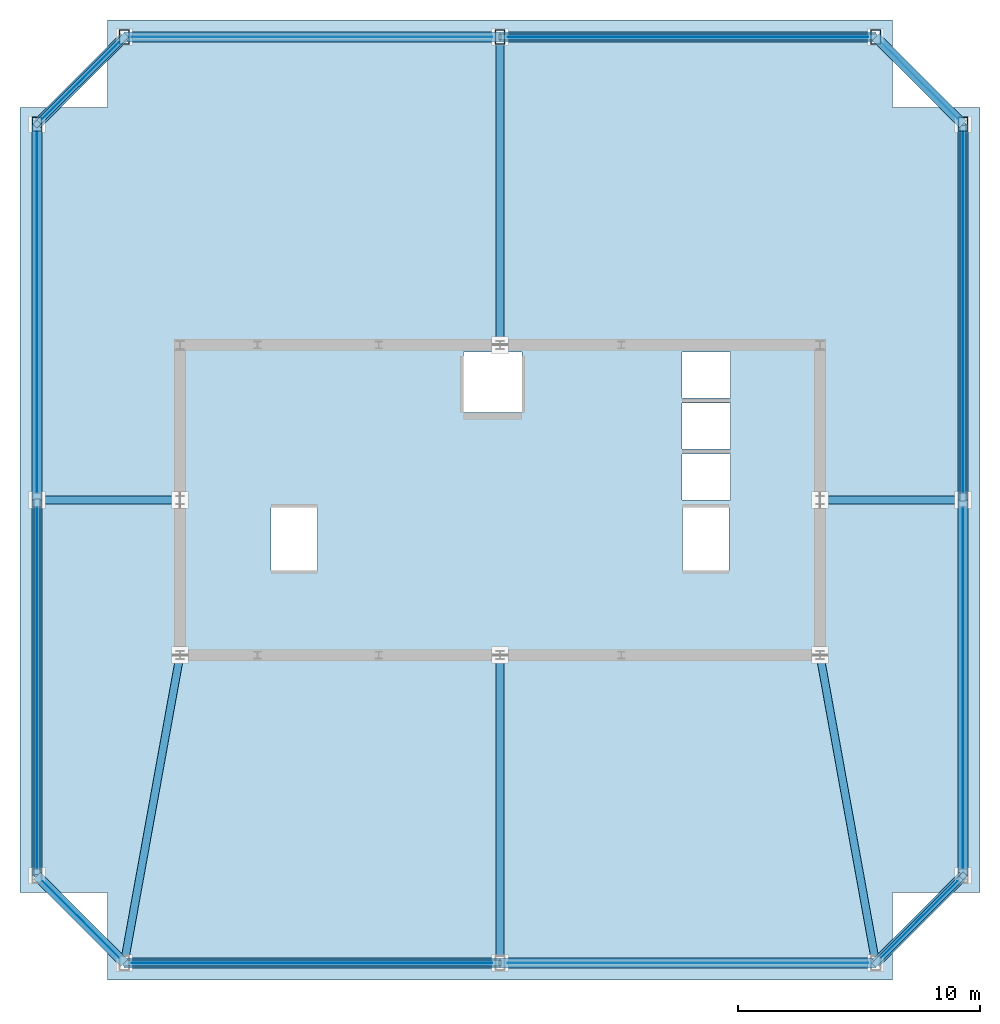
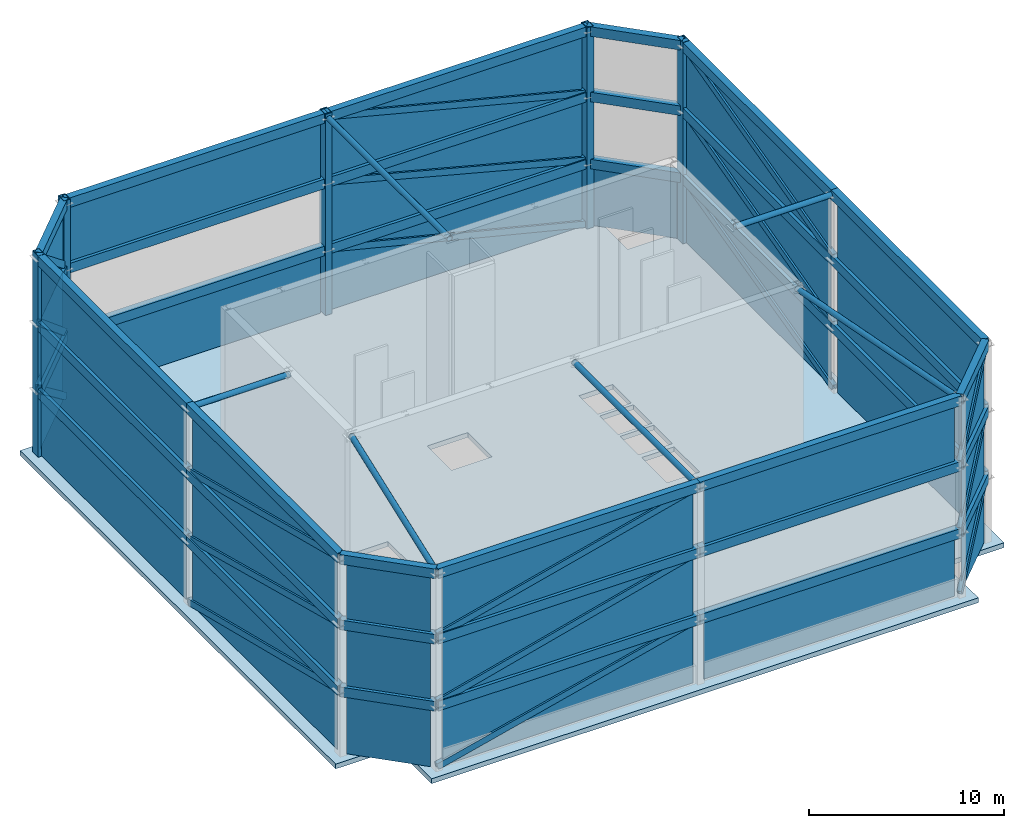
# One storey, part 3 of 6: 36 beams, 32 plates, 24 members, 5 columns, 1 slab.
"""IFC4 building model written with IfcOpenShell, lengths in metres."""

from ifc_helpers import new_model, si_unit, direction, frame, origin, origin_2d, place, context, subcontext, project, spatial, polyline, rectangle, hollow_rectangle, hollow_circle, outline, extrude, source, transform, mapped, material, layer, layer_set, material_profile, profile_set, type_object, element, save


model = new_model("IFC4")

# Units and contexts
model_context = context("Model", 3, precision=1e-05, world=origin(), true_north=direction((0.0, 1.0)))
body_context = subcontext(model_context, "Body", "Model", "MODEL_VIEW")
ifc_project = project(units=[si_unit("LENGTHUNIT", "METRE"), si_unit("AREAUNIT", "SQUARE_METRE"), si_unit("VOLUMEUNIT", "CUBIC_METRE"), si_unit("PLANEANGLEUNIT", "RADIAN"), si_unit("MASSUNIT", "GRAM", prefix="KILO"), si_unit("THERMODYNAMICTEMPERATUREUNIT", "KELVIN"), si_unit("POWERUNIT", "WATT")], contexts=[model_context])

# Site, building, storey
site_placement = place(None, origin())
site = spatial("IfcSite", under=ifc_project, at=site_placement, CompositionType="ELEMENT")
building_placement = place(site_placement, origin())
building = spatial("IfcBuilding", under=site, at=building_placement, Name="Yuzanri Waterfront Tower", CompositionType="ELEMENT")
storey_placement = place(building_placement, frame((0.0, 0.0, 351.199951171875)))
storey = spatial("IfcBuildingStorey", under=building, at=storey_placement, Name="L94", CompositionType="ELEMENT", Elevation=351.199951171875)

# Columns
ifc_material_1 = material(Name="Steel Q355B", Category="steel")
ifc_material_profile_1 = material_profile(ifc_material_1, hollow_rectangle(XDim=0.39990234375, YDim=0.60009765625, WallThickness=0.02392578125, at=origin_2d()), Name="RHS 600x400x24")
ifc_profile_set_1 = profile_set([ifc_material_profile_1], Name="Steel Q355B")
column_type = type_object("IfcColumnType", Name="Crown Frame Post Q355B RHS 600x400x24", PredefinedType="COLUMN", material=ifc_profile_set_1)
shared_shape_1 = source(origin(), body_context, "Body", "SweptSolid", [
    extrude(hollow_rectangle(XDim=0.39990234375, YDim=0.60009765625, WallThickness=0.02392578125, at=origin_2d()), origin(), (0.0, 0.0, 1.0), 12.60009765625),
])
for number, where, z_axis, x_axis, name in (
    (1, (56.10009765625, 41.300048828125, 0.0), (0.0, 0.0, 1.0), (1.0, 0.0, 0.0), "L94 CROWN FRAME Perimeter Post CE3"),
    (2, (52.5, 44.89990234375, 0.0), (0.0, 0.0, 1.0), (1.0, 0.0, 0.0), "L94 CROWN FRAME Perimeter Post CN3"),
    (3, (37.0, 44.89990234375, 0.0), (0.0, 0.0, 1.0), (1.0, 0.0, 0.0), "L94 CROWN FRAME Perimeter Post CN2"),
    (4, (21.5, 44.89990234375, 0.0), (0.0, 0.0, 1.0), (1.0, 0.0, 0.0), "L94 CROWN FRAME Perimeter Post CN1"),
    (5, (17.89990234375, 41.300048828125, 0.0), (0.0, 0.0, 1.0), (1.0, 0.0, 0.0), "L94 CROWN FRAME Perimeter Post CW3"),
):
    element("IfcColumn", number, at=place(storey_placement, frame(where, z_axis=z_axis, x_axis=x_axis)), inside=storey, type_object=column_type, Name=name, PredefinedType="COLUMN", context=body_context, shape_type="MappedRepresentation", body=[
        mapped(shared_shape_1, transform((0.0, 0.0, 0.0), scale=1.0)),
    ])

# Beams
ifc_material_2 = material(Name="Steel Q355B", Category="steel")
ifc_material_profile_2 = material_profile(ifc_material_2, hollow_rectangle(XDim=0.39990234375, YDim=0.60009765625, WallThickness=0.02392578125, at=origin_2d()), Name="RHS 600x400x24")
ifc_profile_set_2 = profile_set([ifc_material_profile_2], Name="Steel Q355B")
beam_type = type_object("IfcBeamType", Name="Crown Frame Ring Beam Q355B RHS 600x400x24", PredefinedType="BEAM", material=ifc_profile_set_2)
shared_shape_2 = source(origin(), body_context, "Body", "SweptSolid", [
    extrude(hollow_rectangle(XDim=0.39990234375, YDim=0.60009765625, WallThickness=0.02392578125, at=origin_2d()), origin(), (0.0, 0.0, 1.0), 15.5),
])
for number, where, z_axis, x_axis, name in (
    (6, (21.5, 6.699951171875, 4.0), (1.0, 0.0, 0.0), (0.0, 1.0, 0.0), "L94 CROWN FRAME Ring Chord Tier 1 CS1-CS2"),
    (7, (37.0, 6.699951171875, 4.0), (1.0, 0.0, 0.0), (0.0, 1.0, 0.0), "L94 CROWN FRAME Ring Chord Tier 1 CS2-CS3"),
    (8, (56.10009765625, 10.300048828125, 4.0), (0.0, 1.0, 0.0), (-1.0, 0.0, 0.0), "L94 CROWN FRAME Ring Chord Tier 1 CE1-CE2"),
    (9, (56.10009765625, 25.800048828125, 4.0), (0.0, 1.0, 0.0), (-1.0, 0.0, 0.0), "L94 CROWN FRAME Ring Chord Tier 1 CE2-CE3"),
    (10, (52.5, 44.89990234375, 4.0), (-1.0, 0.0, 0.0), (0.0, -1.0, 0.0), "L94 CROWN FRAME Ring Chord Tier 1 CN3-CN2"),
    (11, (37.0, 44.89990234375, 4.0), (-1.0, 0.0, 0.0), (0.0, -1.0, 0.0), "L94 CROWN FRAME Ring Chord Tier 1 CN2-CN1"),
    (12, (17.89990234375, 41.300048828125, 4.0), (0.0, -1.0, 0.0), (1.0, 0.0, 0.0), "L94 CROWN FRAME Ring Chord Tier 1 CW3-CW2"),
    (13, (17.89990234375, 25.800048828125, 4.0), (0.0, -1.0, 0.0), (1.0, 0.0, 0.0), "L94 CROWN FRAME Ring Chord Tier 1 CW2-CW1"),
    (14, (21.5, 6.699951171875, 8.199951171875), (1.0, 0.0, 0.0), (0.0, 1.0, 0.0), "L94 CROWN FRAME Ring Chord Tier 2 CS1-CS2"),
    (15, (37.0, 6.699951171875, 8.199951171875), (1.0, 0.0, 0.0), (0.0, 1.0, 0.0), "L94 CROWN FRAME Ring Chord Tier 2 CS2-CS3"),
    (16, (56.10009765625, 10.300048828125, 8.199951171875), (0.0, 1.0, 0.0), (-1.0, 0.0, 0.0), "L94 CROWN FRAME Ring Chord Tier 2 CE1-CE2"),
    (17, (56.10009765625, 25.800048828125, 8.199951171875), (0.0, 1.0, 0.0), (-1.0, 0.0, 0.0), "L94 CROWN FRAME Ring Chord Tier 2 CE2-CE3"),
    (18, (52.5, 44.89990234375, 8.199951171875), (-1.0, 0.0, 0.0), (0.0, -1.0, 0.0), "L94 CROWN FRAME Ring Chord Tier 2 CN3-CN2"),
    (19, (37.0, 44.89990234375, 8.199951171875), (-1.0, 0.0, 0.0), (0.0, -1.0, 0.0), "L94 CROWN FRAME Ring Chord Tier 2 CN2-CN1"),
    (20, (17.89990234375, 41.300048828125, 8.199951171875), (0.0, -1.0, 0.0), (1.0, 0.0, 0.0), "L94 CROWN FRAME Ring Chord Tier 2 CW3-CW2"),
    (21, (17.89990234375, 25.800048828125, 8.199951171875), (0.0, -1.0, 0.0), (1.0, 0.0, 0.0), "L94 CROWN FRAME Ring Chord Tier 2 CW2-CW1"),
    (22, (21.5, 6.699951171875, 12.300048828125), (1.0, 0.0, 0.0), (0.0, 1.0, 0.0), "L94 CROWN FRAME Ring Chord Tier 3 CS1-CS2"),
    (23, (37.0, 6.699951171875, 12.300048828125), (1.0, 0.0, 0.0), (0.0, 1.0, 0.0), "L94 CROWN FRAME Ring Chord Tier 3 CS2-CS3"),
    (24, (56.10009765625, 10.300048828125, 12.300048828125), (0.0, 1.0, 0.0), (-1.0, 0.0, 0.0), "L94 CROWN FRAME Ring Chord Tier 3 CE1-CE2"),
    (25, (56.10009765625, 25.800048828125, 12.300048828125), (0.0, 1.0, 0.0), (-1.0, 0.0, 0.0), "L94 CROWN FRAME Ring Chord Tier 3 CE2-CE3"),
    (26, (52.5, 44.89990234375, 12.300048828125), (-1.0, 0.0, 0.0), (0.0, -1.0, 0.0), "L94 CROWN FRAME Ring Chord Tier 3 CN3-CN2"),
    (27, (37.0, 44.89990234375, 12.300048828125), (-1.0, 0.0, 0.0), (0.0, -1.0, 0.0), "L94 CROWN FRAME Ring Chord Tier 3 CN2-CN1"),
    (28, (17.89990234375, 41.300048828125, 12.300048828125), (0.0, -1.0, 0.0), (1.0, 0.0, 0.0), "L94 CROWN FRAME Ring Chord Tier 3 CW3-CW2"),
    (29, (17.89990234375, 25.800048828125, 12.300048828125), (0.0, -1.0, 0.0), (1.0, 0.0, 0.0), "L94 CROWN FRAME Ring Chord Tier 3 CW2-CW1"),
):
    element("IfcBeam", number, at=place(storey_placement, frame(where, z_axis=z_axis, x_axis=x_axis)), inside=storey, type_object=beam_type, Name=name, PredefinedType="BEAM", context=body_context, shape_type="MappedRepresentation", body=[
        mapped(shared_shape_2, transform((0.0, 0.0, 0.0), scale=1.0)),
    ])

# Members
ifc_material_3 = material(Name="Steel Q355B", Category="steel")
ifc_material_profile_3 = material_profile(ifc_material_3, hollow_rectangle(XDim=0.25, YDim=0.39990234375, WallThickness=0.01611328125, at=origin_2d()), Name="RHS 400x250x16")
ifc_profile_set_3 = profile_set([ifc_material_profile_3], Name="Steel Q355B")
member_type_1 = type_object("IfcMemberType", Name="Crown Frame Diagonal Q355B RHS 400x250x16", PredefinedType="USERDEFINED", material=ifc_profile_set_3)
shared_shape_3 = source(origin(), body_context, "Body", "SweptSolid", [
    extrude(hollow_rectangle(XDim=0.25, YDim=0.39990234375, WallThickness=0.01611328125, at=origin_2d()), origin(), (0.0, 0.0, 1.0), 15.970947265625),
])
for number, where, z_axis, x_axis, name in (
    (30, (21.5, 6.699951171875, 0.150146484375), (0.970511842135, 0.0, 0.241053446929), (0.0, 1.0, 0.0), "L94 CROWN FRAME Diagonal Tier 1 CS1"),
    (31, (56.10009765625, 25.800048828125, 0.150146484375), (0.0, 0.970511842135, 0.241053446929), (-1.0, 0.0, 0.0), "L94 CROWN FRAME Diagonal Tier 1 CE2"),
    (32, (52.5, 44.89990234375, 0.150146484375), (-0.970511842135, 0.0, 0.241053446929), (0.0, -1.0, 0.0), "L94 CROWN FRAME Diagonal Tier 1 CN3"),
    (33, (17.89990234375, 25.800048828125, 0.150146484375), (0.0, -0.970511842135, 0.241053446929), (1.0, 0.0, 0.0), "L94 CROWN FRAME Diagonal Tier 1 CW2"),
):
    element("IfcMember", number, at=place(storey_placement, frame(where, z_axis=z_axis, x_axis=x_axis)), inside=storey, type_object=member_type_1, Name=name, ObjectType="CROWN FRAME", PredefinedType="USERDEFINED", context=body_context, shape_type="MappedRepresentation", body=[
        mapped(shared_shape_3, transform((0.0, 0.0, 0.0), scale=1.0)),
    ])

# Beams
shared_shape_4 = source(origin(), body_context, "Body", "SweptSolid", [
    extrude(hollow_rectangle(XDim=0.39990234375, YDim=0.60009765625, WallThickness=0.02392578125, at=origin_2d()), origin(), (0.0, 0.0, 1.0), 5.09130859375),
])
for number, where, z_axis, x_axis, name in (
    (34, (52.5, 6.699951171875, 4.0), (0.707106781187, 0.707106781187, 0.0), (-0.707106781187, 0.707106781187, 0.0), "L94 CROWN FRAME Ring Chord Tier 1 CS3-CE1"),
    (35, (17.89990234375, 10.300048828125, 4.0), (0.707106781187, -0.707106781187, 0.0), (0.707106781187, 0.707106781187, 0.0), "L94 CROWN FRAME Ring Chord Tier 1 CW1-CS1"),
    (36, (52.5, 6.699951171875, 8.199951171875), (0.707106781187, 0.707106781187, 0.0), (-0.707106781187, 0.707106781187, 0.0), "L94 CROWN FRAME Ring Chord Tier 2 CS3-CE1"),
    (37, (17.89990234375, 10.300048828125, 8.199951171875), (0.707106781187, -0.707106781187, 0.0), (0.707106781187, 0.707106781187, 0.0), "L94 CROWN FRAME Ring Chord Tier 2 CW1-CS1"),
    (38, (52.5, 6.699951171875, 12.300048828125), (0.707106781187, 0.707106781187, 0.0), (-0.707106781187, 0.707106781187, 0.0), "L94 CROWN FRAME Ring Chord Tier 3 CS3-CE1"),
    (39, (17.89990234375, 10.300048828125, 12.300048828125), (0.707106781187, -0.707106781187, 0.0), (0.707106781187, 0.707106781187, 0.0), "L94 CROWN FRAME Ring Chord Tier 3 CW1-CS1"),
):
    element("IfcBeam", number, at=place(storey_placement, frame(where, z_axis=z_axis, x_axis=x_axis)), inside=storey, type_object=beam_type, Name=name, PredefinedType="BEAM", context=body_context, shape_type="MappedRepresentation", body=[
        mapped(shared_shape_4, transform((0.0, 0.0, 0.0), scale=1.0)),
    ])

# Member
shared_shape_5 = source(origin(), body_context, "Body", "SweptSolid", [
    extrude(hollow_rectangle(XDim=0.25, YDim=0.39990234375, WallThickness=0.01611328125, at=origin_2d()), origin(), (0.0, 0.0, 1.0), 6.383056640625),
])
member_1_placement = place(storey_placement, frame((52.5, 6.699951171875, 0.150146484375), z_axis=(0.564012800911, 0.564012800911, 0.603141045542), x_axis=(-0.707106781187, 0.707106781187, 0.0)))
element("IfcMember", 40, at=member_1_placement, inside=storey, type_object=member_type_1, Name="L94 CROWN FRAME Diagonal Tier 1 CS3", ObjectType="CROWN FRAME", PredefinedType="USERDEFINED", context=body_context, shape_type="MappedRepresentation", body=[
    mapped(shared_shape_5, transform((0.0, 0.0, 0.0), scale=1.0)),
])

# Beams
shared_shape_6 = source(origin(), body_context, "Body", "SweptSolid", [
    extrude(hollow_rectangle(XDim=0.39990234375, YDim=0.60009765625, WallThickness=0.02392578125, at=origin_2d()), origin(), (0.0, 0.0, 1.0), 5.091064453125),
])
for number, where, z_axis, x_axis, name in (
    (41, (56.10009765625, 41.300048828125, 4.0), (-0.707130757816, 0.707082803744, 0.0), (-0.707082803744, -0.707130757816, 0.0), "L94 CROWN FRAME Ring Chord Tier 1 CE3-CN3"),
    (42, (21.5, 44.89990234375, 4.0), (-0.707130757816, -0.707082803744, 0.0), (0.707082803744, -0.707130757816, 0.0), "L94 CROWN FRAME Ring Chord Tier 1 CN1-CW3"),
    (43, (56.10009765625, 41.300048828125, 8.199951171875), (-0.707130757816, 0.707082803744, 0.0), (-0.707082803744, -0.707130757816, 0.0), "L94 CROWN FRAME Ring Chord Tier 2 CE3-CN3"),
    (44, (21.5, 44.89990234375, 8.199951171875), (-0.707130757816, -0.707082803744, 0.0), (0.707082803744, -0.707130757816, 0.0), "L94 CROWN FRAME Ring Chord Tier 2 CN1-CW3"),
    (45, (56.10009765625, 41.300048828125, 12.300048828125), (-0.707130757816, 0.707082803744, 0.0), (-0.707082803744, -0.707130757816, 0.0), "L94 CROWN FRAME Ring Chord Tier 3 CE3-CN3"),
    (46, (21.5, 44.89990234375, 12.300048828125), (-0.707130757816, -0.707082803744, 0.0), (0.707082803744, -0.707130757816, 0.0), "L94 CROWN FRAME Ring Chord Tier 3 CN1-CW3"),
):
    element("IfcBeam", number, at=place(storey_placement, frame(where, z_axis=z_axis, x_axis=x_axis)), inside=storey, type_object=beam_type, Name=name, PredefinedType="BEAM", context=body_context, shape_type="MappedRepresentation", body=[
        mapped(shared_shape_6, transform((0.0, 0.0, 0.0), scale=1.0)),
    ])

# Members
shared_shape_7 = source(origin(), body_context, "Body", "SweptSolid", [
    extrude(hollow_rectangle(XDim=0.25, YDim=0.39990234375, WallThickness=0.01611328125, at=origin_2d()), origin(), (0.0, 0.0, 1.0), 6.3828125),
])
member_2_placement = place(storey_placement, frame((21.5, 44.89990234375, 0.150146484375), z_axis=(-0.564024968148, -0.563986718795, 0.603154056878), x_axis=(0.707082803744, -0.707130757816, 0.0)))
element("IfcMember", 47, at=member_2_placement, inside=storey, type_object=member_type_1, Name="L94 CROWN FRAME Diagonal Tier 1 CN1", ObjectType="CROWN FRAME", PredefinedType="USERDEFINED", context=body_context, shape_type="MappedRepresentation", body=[
    mapped(shared_shape_7, transform((0.0, 0.0, 0.0), scale=1.0)),
])
shared_shape_8 = source(origin(), body_context, "Body", "SweptSolid", [
    extrude(hollow_rectangle(XDim=0.25, YDim=0.39990234375, WallThickness=0.01611328125, at=origin_2d()), origin(), (0.0, 0.0, 1.0), 16.020263671875),
])
for number, where, z_axis, x_axis, name in (
    (48, (21.5, 6.699951171875, 4.150146484375), (0.96752074832, 0.0, 0.25279161689), (0.0, 1.0, 0.0), "L94 CROWN FRAME Diagonal Tier 2 CS1"),
    (49, (56.10009765625, 25.800048828125, 4.150146484375), (0.0, 0.96752074832, 0.25279161689), (-1.0, 0.0, 0.0), "L94 CROWN FRAME Diagonal Tier 2 CE2"),
    (50, (52.5, 44.89990234375, 4.150146484375), (-0.96752074832, 0.0, 0.25279161689), (0.0, -1.0, 0.0), "L94 CROWN FRAME Diagonal Tier 2 CN3"),
    (51, (17.89990234375, 25.800048828125, 4.150146484375), (0.0, -0.96752074832, 0.25279161689), (1.0, 0.0, 0.0), "L94 CROWN FRAME Diagonal Tier 2 CW2"),
):
    element("IfcMember", number, at=place(storey_placement, frame(where, z_axis=z_axis, x_axis=x_axis)), inside=storey, type_object=member_type_1, Name=name, ObjectType="CROWN FRAME", PredefinedType="USERDEFINED", context=body_context, shape_type="MappedRepresentation", body=[
        mapped(shared_shape_8, transform((0.0, 0.0, 0.0), scale=1.0)),
    ])
shared_shape_9 = source(origin(), body_context, "Body", "SweptSolid", [
    extrude(hollow_rectangle(XDim=0.25, YDim=0.39990234375, WallThickness=0.01611328125, at=origin_2d()), origin(), (0.0, 0.0, 1.0), 6.505615234375),
])
member_3_placement = place(storey_placement, frame((52.5, 6.699951171875, 4.150146484375), z_axis=(0.553387731098, 0.553387731098, 0.622514287499), x_axis=(-0.707106781187, 0.707106781187, 0.0)))
element("IfcMember", 52, at=member_3_placement, inside=storey, type_object=member_type_1, Name="L94 CROWN FRAME Diagonal Tier 2 CS3", ObjectType="CROWN FRAME", PredefinedType="USERDEFINED", context=body_context, shape_type="MappedRepresentation", body=[
    mapped(shared_shape_9, transform((0.0, 0.0, 0.0), scale=1.0)),
])
shared_shape_10 = source(origin(), body_context, "Body", "SweptSolid", [
    extrude(hollow_rectangle(XDim=0.25, YDim=0.39990234375, WallThickness=0.01611328125, at=origin_2d()), origin(), (0.0, 0.0, 1.0), 6.50537109375),
])
member_4_placement = place(storey_placement, frame((21.5, 44.89990234375, 4.150146484375), z_axis=(-0.553399223562, -0.553361694793, 0.622527215547), x_axis=(0.707082803744, -0.707130757816, 0.0)))
element("IfcMember", 53, at=member_4_placement, inside=storey, type_object=member_type_1, Name="L94 CROWN FRAME Diagonal Tier 2 CN1", ObjectType="CROWN FRAME", PredefinedType="USERDEFINED", context=body_context, shape_type="MappedRepresentation", body=[
    mapped(shared_shape_10, transform((0.0, 0.0, 0.0), scale=1.0)),
])
shared_shape_11 = source(origin(), body_context, "Body", "SweptSolid", [
    extrude(hollow_rectangle(XDim=0.25, YDim=0.39990234375, WallThickness=0.01611328125, at=origin_2d()), origin(), (0.0, 0.0, 1.0), 15.995361328125),
])
for number, where, z_axis, x_axis, name in (
    (54, (21.5, 6.699951171875, 8.35009765625), (0.969029934396, 0.0, 0.246943285481), (0.0, 1.0, 0.0), "L94 CROWN FRAME Diagonal Tier 3 CS1"),
    (55, (56.10009765625, 25.800048828125, 8.35009765625), (0.0, 0.969029934396, 0.246943285481), (-1.0, 0.0, 0.0), "L94 CROWN FRAME Diagonal Tier 3 CE2"),
    (56, (52.5, 44.89990234375, 8.35009765625), (-0.969029934396, 0.0, 0.246943285481), (0.0, -1.0, 0.0), "L94 CROWN FRAME Diagonal Tier 3 CN3"),
    (57, (17.89990234375, 25.800048828125, 8.35009765625), (0.0, -0.969029934396, 0.246943285481), (1.0, 0.0, 0.0), "L94 CROWN FRAME Diagonal Tier 3 CW2"),
):
    element("IfcMember", number, at=place(storey_placement, frame(where, z_axis=z_axis, x_axis=x_axis)), inside=storey, type_object=member_type_1, Name=name, ObjectType="CROWN FRAME", PredefinedType="USERDEFINED", context=body_context, shape_type="MappedRepresentation", body=[
        mapped(shared_shape_11, transform((0.0, 0.0, 0.0), scale=1.0)),
    ])
shared_shape_12 = source(origin(), body_context, "Body", "SweptSolid", [
    extrude(hollow_rectangle(XDim=0.25, YDim=0.39990234375, WallThickness=0.01611328125, at=origin_2d()), origin(), (0.0, 0.0, 1.0), 6.44384765625),
])
for number, where, z_axis, x_axis, name in (
    (58, (52.5, 6.699951171875, 8.35009765625), (0.558685239973, 0.558685239973, 0.61297765479), (-0.707106781187, 0.707106781187, 0.0), "L94 CROWN FRAME Diagonal Tier 3 CS3"),
    (59, (21.5, 44.89990234375, 8.35009765625), (-0.558697065662, -0.55865917762, 0.612990629685), (0.707082803744, -0.707130757816, 0.0), "L94 CROWN FRAME Diagonal Tier 3 CN1"),
):
    element("IfcMember", number, at=place(storey_placement, frame(where, z_axis=z_axis, x_axis=x_axis)), inside=storey, type_object=member_type_1, Name=name, ObjectType="CROWN FRAME", PredefinedType="USERDEFINED", context=body_context, shape_type="MappedRepresentation", body=[
        mapped(shared_shape_12, transform((0.0, 0.0, 0.0), scale=1.0)),
    ])
ifc_material_4 = material(Name="Steel Q355B", Category="steel")
ifc_material_profile_4 = material_profile(ifc_material_4, hollow_circle(Radius=0.16259765625, WallThickness=0.011962890625, at=origin_2d()), Name="CHS 325x12")
ifc_profile_set_4 = profile_set([ifc_material_profile_4], Name="Steel Q355B")
member_type_2 = type_object("IfcMemberType", Name="Crown Radial Strut Q355B CHS 325x12", PredefinedType="STRUT", material=ifc_profile_set_4)
shared_shape_13 = source(origin(), body_context, "Body", "SweptSolid", [
    extrude(hollow_circle(Radius=0.16259765625, WallThickness=0.011962890625, at=origin_2d()), origin(), (0.0, 0.0, 1.0), 12.699951171875),
])
for number, where, z_axis, x_axis, name in (
    (60, (37.0, 6.699951171875, 12.300048828125), (0.0, 1.0, 0.0), (-1.0, 0.0, 0.0), "L94 CROWN FRAME Radial Strut S"),
    (61, (37.0, 44.89990234375, 12.300048828125), (0.0, -1.0, 0.0), (1.0, 0.0, 0.0), "L94 CROWN FRAME Radial Strut N"),
):
    element("IfcMember", number, at=place(storey_placement, frame(where, z_axis=z_axis, x_axis=x_axis)), inside=storey, type_object=member_type_2, Name=name, PredefinedType="STRUT", context=body_context, shape_type="MappedRepresentation", body=[
        mapped(shared_shape_13, transform((0.0, 0.0, 0.0), scale=1.0)),
    ])
shared_shape_14 = source(origin(), body_context, "Body", "SweptSolid", [
    extrude(hollow_circle(Radius=0.16259765625, WallThickness=0.011962890625, at=origin_2d()), origin(), (0.0, 0.0, 1.0), 5.900146484375),
])
for number, where, z_axis, x_axis, name in (
    (62, (17.89990234375, 25.800048828125, 12.300048828125), (1.0, 0.0, 0.0), (0.0, 1.0, 0.0), "L94 CROWN FRAME Radial Strut W"),
    (63, (56.10009765625, 25.800048828125, 12.300048828125), (-1.0, 0.0, 0.0), (0.0, -1.0, 0.0), "L94 CROWN FRAME Radial Strut E"),
):
    element("IfcMember", number, at=place(storey_placement, frame(where, z_axis=z_axis, x_axis=x_axis)), inside=storey, type_object=member_type_2, Name=name, PredefinedType="STRUT", context=body_context, shape_type="MappedRepresentation", body=[
        mapped(shared_shape_14, transform((0.0, 0.0, 0.0), scale=1.0)),
    ])
shared_shape_15 = source(origin(), body_context, "Body", "SweptSolid", [
    extrude(hollow_circle(Radius=0.16259765625, WallThickness=0.011962890625, at=origin_2d()), origin(), (0.0, 0.0, 1.0), 12.906494140625),
])
for number, where, z_axis, x_axis, name in (
    (64, (21.5, 6.699951171875, 12.300048828125), (0.178207899331, 0.983992858011, 0.0), (-0.983992858011, 0.178207899331, 0.0), "L94 CROWN FRAME Radial Strut SW"),
    (65, (52.5, 6.699951171875, 12.300048828125), (-0.178207899331, 0.983992858011, 0.0), (-0.983992858011, -0.178207899331, 0.0), "L94 CROWN FRAME Radial Strut SE"),
):
    element("IfcMember", number, at=place(storey_placement, frame(where, z_axis=z_axis, x_axis=x_axis)), inside=storey, type_object=member_type_2, Name=name, PredefinedType="STRUT", context=body_context, shape_type="MappedRepresentation", body=[
        mapped(shared_shape_15, transform((0.0, 0.0, 0.0), scale=1.0)),
    ])

# Slab
ifc_material_5 = material(Name="Concrete C45", Category="concrete")
ifc_layer_1 = layer(ifc_material_5, 0.300048828125)
ifc_layer_set_1 = layer_set([ifc_layer_1], Name="Concrete C45")
slab_type = type_object("IfcSlabType", Name="Concrete C45 Crown Mechanical Enclosure Roof Deck Slab 300", PredefinedType="ROOF", material=ifc_layer_set_1)
slab_placement = place(storey_placement, frame((0.0, 0.0, -0.300048828125)))
element("IfcSlab", 66, at=slab_placement, inside=storey, type_object=slab_type, Name="L94 Crown Enclosure Roof Deck Slab", PredefinedType="ROOF", context=body_context, shape_type="SweptSolid", body=[
    extrude(outline(polyline([(20.800048828125, 6.0), (53.199951171875, 6.0), (53.199951171875, 9.60009765625), (56.800048828125, 9.60009765625), (56.800048828125, 42.0), (53.199951171875, 42.0), (53.199951171875, 45.60009765625), (20.800048828125, 45.60009765625), (20.800048828125, 42.0), (17.199951171875, 42.0), (17.199951171875, 9.60009765625), (20.800048828125, 9.60009765625), (20.800048828125, 6.0)]), holes=[polyline([(27.56005859375, 22.89990234375), (29.47998046875, 22.89990234375), (29.47998046875, 25.5), (27.56005859375, 25.5), (27.56005859375, 22.89990234375)]), polyline([(44.52001953125, 22.89990234375), (46.43994140625, 22.89990234375), (46.43994140625, 25.5), (44.52001953125, 25.5), (44.52001953125, 22.89990234375)]), polyline([(35.5, 29.39990234375), (37.89990234375, 29.39990234375), (37.89990234375, 31.89990234375), (35.5, 31.89990234375), (35.5, 29.39990234375)]), polyline([(44.5, 25.800048828125), (46.5, 25.800048828125), (46.5, 27.699951171875), (44.5, 27.699951171875), (44.5, 25.800048828125)]), polyline([(44.5, 27.89990234375), (46.5, 27.89990234375), (46.5, 29.800048828125), (44.5, 29.800048828125), (44.5, 27.89990234375)]), polyline([(44.5, 30.0), (46.5, 30.0), (46.5, 31.89990234375), (44.5, 31.89990234375), (44.5, 30.0)])]), origin(), (0.0, 0.0, 1.0), 0.300048828125),
])

# Plates
ifc_material_6 = material(Name="Anodized Architectural Bronze", Category="metal")
ifc_layer_2 = layer(ifc_material_6, 0.01806640625)
ifc_layer_set_2 = layer_set([ifc_layer_2], Name="Anodized Architectural Bronze")
plate_type = type_object("IfcPlateType", Name="Perforated Bronze Crown Acoustic Screen Panel 18", PredefinedType="SHEET", material=ifc_layer_set_2)
shared_shape_16 = source(origin(), body_context, "Body", "SweptSolid", [
    extrude(rectangle(XDim=14.860107421875, YDim=0.01806640625, at=origin_2d()), origin(), (0.0, 0.0, 1.0), 3.919921875),
])
for number, where, z_axis, x_axis, name in (
    (67, (29.25, 6.699951171875, 0.0400390625), (0.0, 0.0, 1.0), (1.0, 0.0, 0.0), "L94 Crown Perforated Bronze Screen Tier 1 CS1-CS2"),
    (68, (44.75, 6.699951171875, 0.0400390625), (0.0, 0.0, 1.0), (1.0, 0.0, 0.0), "L94 Crown Perforated Bronze Screen Tier 1 CS2-CS3"),
    (69, (56.10009765625, 18.050048828125, 0.0400390625), (0.0, 0.0, 1.0), (0.0, 1.0, 0.0), "L94 Crown Perforated Bronze Screen Tier 1 CE1-CE2"),
    (70, (56.10009765625, 33.550048828125, 0.0400390625), (0.0, 0.0, 1.0), (0.0, 1.0, 0.0), "L94 Crown Perforated Bronze Screen Tier 1 CE2-CE3"),
    (71, (44.75, 44.89990234375, 0.0400390625), (0.0, 0.0, 1.0), (-1.0, 0.0, 0.0), "L94 Crown Perforated Bronze Screen Tier 1 CN3-CN2"),
    (72, (29.25, 44.89990234375, 0.0400390625), (0.0, 0.0, 1.0), (-1.0, 0.0, 0.0), "L94 Crown Perforated Bronze Screen Tier 1 CN2-CN1"),
    (73, (17.89990234375, 33.550048828125, 0.0400390625), (0.0, 0.0, 1.0), (0.0, -1.0, 0.0), "L94 Crown Perforated Bronze Screen Tier 1 CW3-CW2"),
    (74, (17.89990234375, 18.050048828125, 0.0400390625), (0.0, 0.0, 1.0), (0.0, -1.0, 0.0), "L94 Crown Perforated Bronze Screen Tier 1 CW2-CW1"),
):
    element("IfcPlate", number, at=place(storey_placement, frame(where, z_axis=z_axis, x_axis=x_axis)), inside=storey, type_object=plate_type, Name=name, PredefinedType="SHEET", context=body_context, shape_type="MappedRepresentation", body=[
        mapped(shared_shape_16, transform((0.0, 0.0, 0.0), scale=1.0)),
    ])
shared_shape_17 = source(origin(), body_context, "Body", "SweptSolid", [
    extrude(rectangle(XDim=4.451171875, YDim=0.01806640625, at=origin_2d()), origin(), (0.0, 0.0, 1.0), 3.919921875),
])
for number, where, z_axis, x_axis, name in (
    (75, (54.300048828125, 8.5, 0.0400390625), (0.0, 0.0, 1.0), (0.707106781187, 0.707106781187, 0.0), "L94 Crown Perforated Bronze Screen Tier 1 CS3-CE1"),
    (76, (54.300048828125, 43.10009765625, 0.0400390625), (0.0, 0.0, 1.0), (-0.707106781187, 0.707106781187, 0.0), "L94 Crown Perforated Bronze Screen Tier 1 CE3-CN3"),
    (77, (19.699951171875, 43.10009765625, 0.0400390625), (0.0, 0.0, 1.0), (-0.707106781187, -0.707106781187, 0.0), "L94 Crown Perforated Bronze Screen Tier 1 CN1-CW3"),
    (78, (19.699951171875, 8.5, 0.0400390625), (0.0, 0.0, 1.0), (0.707106781187, -0.707106781187, 0.0), "L94 Crown Perforated Bronze Screen Tier 1 CW1-CS1"),
):
    element("IfcPlate", number, at=place(storey_placement, frame(where, z_axis=z_axis, x_axis=x_axis)), inside=storey, type_object=plate_type, Name=name, PredefinedType="SHEET", context=body_context, shape_type="MappedRepresentation", body=[
        mapped(shared_shape_17, transform((0.0, 0.0, 0.0), scale=1.0)),
    ])
shared_shape_18 = source(origin(), body_context, "Body", "SweptSolid", [
    extrude(rectangle(XDim=14.860107421875, YDim=0.01806640625, at=origin_2d()), origin(), (0.0, 0.0, 1.0), 4.1201171875),
])
for number, where, z_axis, x_axis, name in (
    (79, (29.25, 6.699951171875, 4.0400390625), (0.0, 0.0, 1.0), (1.0, 0.0, 0.0), "L94 Crown Perforated Bronze Screen Tier 2 CS1-CS2"),
    (80, (56.10009765625, 18.050048828125, 4.0400390625), (0.0, 0.0, 1.0), (0.0, 1.0, 0.0), "L94 Crown Perforated Bronze Screen Tier 2 CE1-CE2"),
    (81, (56.10009765625, 33.550048828125, 4.0400390625), (0.0, 0.0, 1.0), (0.0, 1.0, 0.0), "L94 Crown Perforated Bronze Screen Tier 2 CE2-CE3"),
    (82, (44.75, 44.89990234375, 4.0400390625), (0.0, 0.0, 1.0), (-1.0, 0.0, 0.0), "L94 Crown Perforated Bronze Screen Tier 2 CN3-CN2"),
    (83, (17.89990234375, 33.550048828125, 4.0400390625), (0.0, 0.0, 1.0), (0.0, -1.0, 0.0), "L94 Crown Perforated Bronze Screen Tier 2 CW3-CW2"),
    (84, (17.89990234375, 18.050048828125, 4.0400390625), (0.0, 0.0, 1.0), (0.0, -1.0, 0.0), "L94 Crown Perforated Bronze Screen Tier 2 CW2-CW1"),
):
    element("IfcPlate", number, at=place(storey_placement, frame(where, z_axis=z_axis, x_axis=x_axis)), inside=storey, type_object=plate_type, Name=name, PredefinedType="SHEET", context=body_context, shape_type="MappedRepresentation", body=[
        mapped(shared_shape_18, transform((0.0, 0.0, 0.0), scale=1.0)),
    ])
shared_shape_19 = source(origin(), body_context, "Body", "SweptSolid", [
    extrude(rectangle(XDim=4.451171875, YDim=0.01806640625, at=origin_2d()), origin(), (0.0, 0.0, 1.0), 4.1201171875),
])
for number, where, z_axis, x_axis, name in (
    (85, (54.300048828125, 8.5, 4.0400390625), (0.0, 0.0, 1.0), (0.707106781187, 0.707106781187, 0.0), "L94 Crown Perforated Bronze Screen Tier 2 CS3-CE1"),
    (86, (19.699951171875, 43.10009765625, 4.0400390625), (0.0, 0.0, 1.0), (-0.707106781187, -0.707106781187, 0.0), "L94 Crown Perforated Bronze Screen Tier 2 CN1-CW3"),
    (87, (19.699951171875, 8.5, 4.0400390625), (0.0, 0.0, 1.0), (0.707106781187, -0.707106781187, 0.0), "L94 Crown Perforated Bronze Screen Tier 2 CW1-CS1"),
):
    element("IfcPlate", number, at=place(storey_placement, frame(where, z_axis=z_axis, x_axis=x_axis)), inside=storey, type_object=plate_type, Name=name, PredefinedType="SHEET", context=body_context, shape_type="MappedRepresentation", body=[
        mapped(shared_shape_19, transform((0.0, 0.0, 0.0), scale=1.0)),
    ])
shared_shape_20 = source(origin(), body_context, "Body", "SweptSolid", [
    extrude(rectangle(XDim=14.860107421875, YDim=0.01806640625, at=origin_2d()), origin(), (0.0, 0.0, 1.0), 4.02001953125),
])
for number, where, z_axis, x_axis, name in (
    (88, (29.25, 6.699951171875, 8.239990234375), (0.0, 0.0, 1.0), (1.0, 0.0, 0.0), "L94 Crown Perforated Bronze Screen Tier 3 CS1-CS2"),
    (89, (44.75, 6.699951171875, 8.239990234375), (0.0, 0.0, 1.0), (1.0, 0.0, 0.0), "L94 Crown Perforated Bronze Screen Tier 3 CS2-CS3"),
    (90, (56.10009765625, 18.050048828125, 8.239990234375), (0.0, 0.0, 1.0), (0.0, 1.0, 0.0), "L94 Crown Perforated Bronze Screen Tier 3 CE1-CE2"),
    (91, (56.10009765625, 33.550048828125, 8.239990234375), (0.0, 0.0, 1.0), (0.0, 1.0, 0.0), "L94 Crown Perforated Bronze Screen Tier 3 CE2-CE3"),
    (92, (44.75, 44.89990234375, 8.239990234375), (0.0, 0.0, 1.0), (-1.0, 0.0, 0.0), "L94 Crown Perforated Bronze Screen Tier 3 CN3-CN2"),
    (93, (29.25, 44.89990234375, 8.239990234375), (0.0, 0.0, 1.0), (-1.0, 0.0, 0.0), "L94 Crown Perforated Bronze Screen Tier 3 CN2-CN1"),
    (94, (17.89990234375, 33.550048828125, 8.239990234375), (0.0, 0.0, 1.0), (0.0, -1.0, 0.0), "L94 Crown Perforated Bronze Screen Tier 3 CW3-CW2"),
    (95, (17.89990234375, 18.050048828125, 8.239990234375), (0.0, 0.0, 1.0), (0.0, -1.0, 0.0), "L94 Crown Perforated Bronze Screen Tier 3 CW2-CW1"),
):
    element("IfcPlate", number, at=place(storey_placement, frame(where, z_axis=z_axis, x_axis=x_axis)), inside=storey, type_object=plate_type, Name=name, PredefinedType="SHEET", context=body_context, shape_type="MappedRepresentation", body=[
        mapped(shared_shape_20, transform((0.0, 0.0, 0.0), scale=1.0)),
    ])
shared_shape_21 = source(origin(), body_context, "Body", "SweptSolid", [
    extrude(rectangle(XDim=4.451171875, YDim=0.01806640625, at=origin_2d()), origin(), (0.0, 0.0, 1.0), 4.02001953125),
])
for number, where, z_axis, x_axis, name in (
    (96, (54.300048828125, 8.5, 8.239990234375), (0.0, 0.0, 1.0), (0.707106781187, 0.707106781187, 0.0), "L94 Crown Perforated Bronze Screen Tier 3 CS3-CE1"),
    (97, (19.699951171875, 43.10009765625, 8.239990234375), (0.0, 0.0, 1.0), (-0.707106781187, -0.707106781187, 0.0), "L94 Crown Perforated Bronze Screen Tier 3 CN1-CW3"),
    (98, (19.699951171875, 8.5, 8.239990234375), (0.0, 0.0, 1.0), (0.707106781187, -0.707106781187, 0.0), "L94 Crown Perforated Bronze Screen Tier 3 CW1-CS1"),
):
    element("IfcPlate", number, at=place(storey_placement, frame(where, z_axis=z_axis, x_axis=x_axis)), inside=storey, type_object=plate_type, Name=name, PredefinedType="SHEET", context=body_context, shape_type="MappedRepresentation", body=[
        mapped(shared_shape_21, transform((0.0, 0.0, 0.0), scale=1.0)),
    ])

save(model, "model.ifc")
